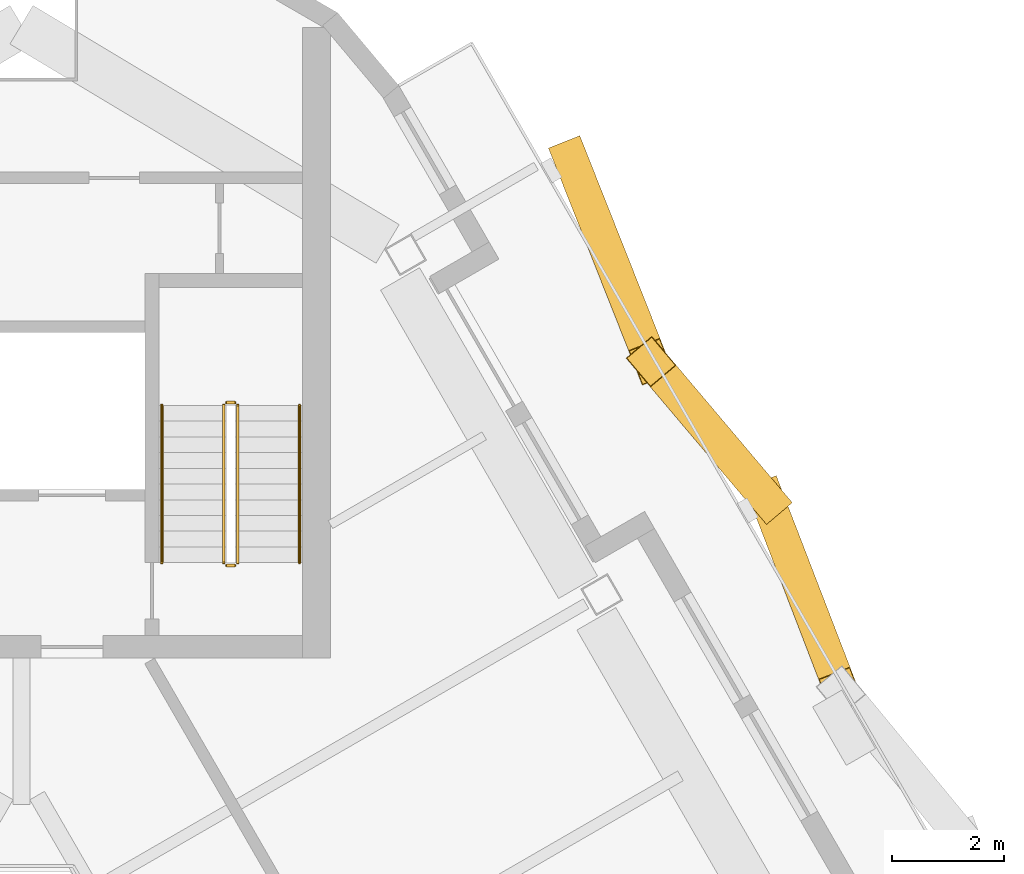
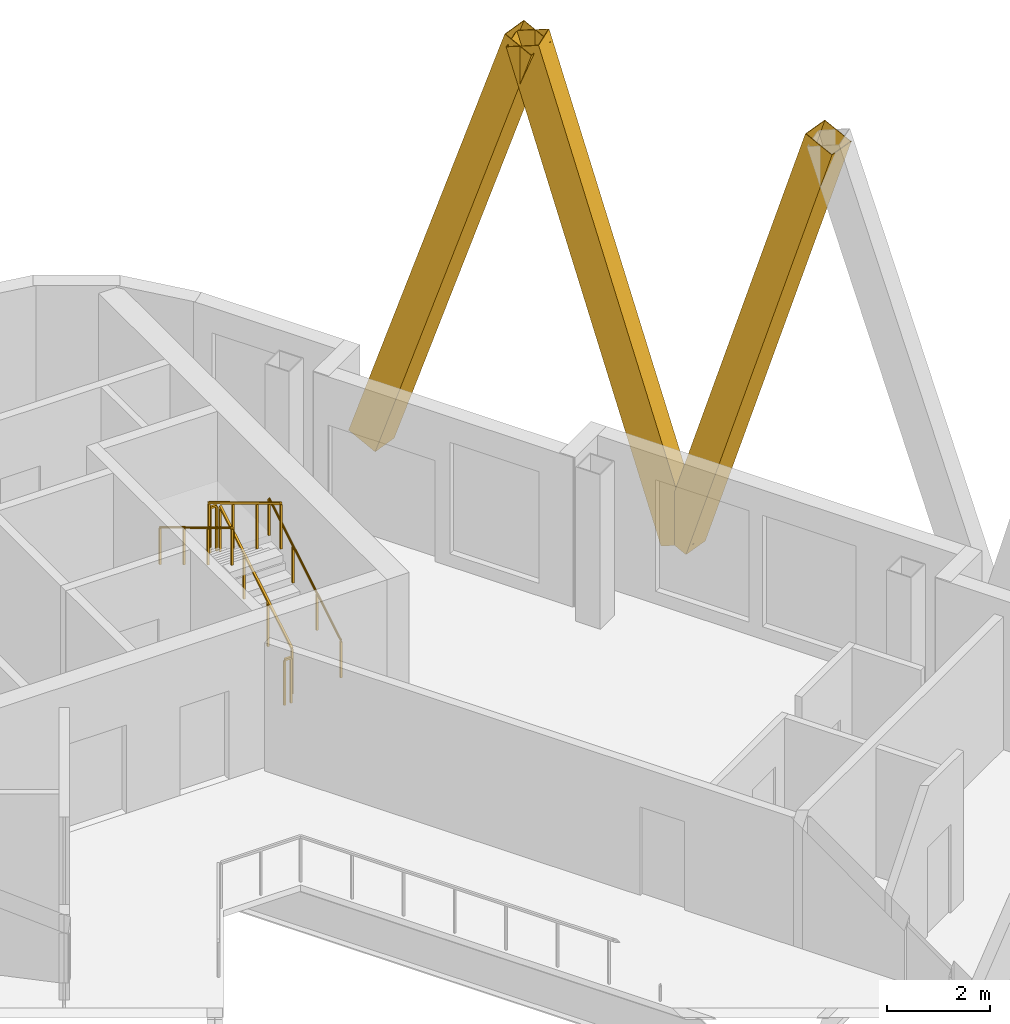
# One storey, part 12 of 12: 6 railings, 3 shading devices.
"""IFC4 building model written with IfcOpenShell, lengths in metres."""

from ifc_helpers import new_model, si_unit, direction, frame, origin, origin_2d, place, context, subcontext, project, spatial, rectangle, hollow_rectangle, circle, extrude, material, material_profile, profile_set, type_object, element, save


model = new_model("IFC4")

# Units and contexts
model_context = context("Model", 3, precision=1e-05, world=origin(), true_north=direction((0.0, 1.0)))
body_context = subcontext(model_context, "Body", "Model", "MODEL_VIEW")
ifc_project = project(units=[si_unit("LENGTHUNIT", "METRE"), si_unit("AREAUNIT", "SQUARE_METRE"), si_unit("VOLUMEUNIT", "CUBIC_METRE"), si_unit("PLANEANGLEUNIT", "RADIAN"), si_unit("MASSUNIT", "GRAM", prefix="KILO")], contexts=[model_context])

# Site, building, storey
site_placement = place(None, origin())
site = spatial("IfcSite", under=ifc_project, at=site_placement, CompositionType="ELEMENT")
building_placement = place(site_placement, origin())
building = spatial("IfcBuilding", under=site, at=building_placement, Name="Apuvela Tower Hotel", CompositionType="ELEMENT")
storey_placement = place(building_placement, frame((0.0, 0.0, 291.10009765625)))
storey = spatial("IfcBuildingStorey", under=building, at=storey_placement, Name="L72", CompositionType="ELEMENT", Elevation=291.10009765625)

# Railings
ifc_material_1 = material(Name="Steel S275 balustrade", Category="steel")
railing_type_1 = type_object("IfcRailingType", Name="COR-GUARD-1100", PredefinedType="GUARDRAIL", material=ifc_material_1)
railing_1_placement = place(storey_placement, frame((3.85009765625, 14.60009765625, 0.16796875)))
element("IfcRailing", 1, at=railing_1_placement, inside=storey, type_object=railing_type_1, Name="L72 ST1 stair guard 1", PredefinedType="GUARDRAIL", context=body_context, shape_type="SweptSolid", body=[
    extrude(rectangle(XDim=0.048095703125, YDim=0.048095703125, at=origin_2d()), frame((0.0, 0.0, 1.076171875), z_axis=(0.0, 0.857222391501, 0.514946377315), x_axis=(-1.0, 0.0, 0.0)), (0.0, 0.0, 1.0), 3.26611328125),
    extrude(rectangle(XDim=0.0419921875, YDim=0.0419921875, at=origin_2d()), origin(), (0.0, 0.0, 1.0), 1.052001953125),
    extrude(rectangle(XDim=0.0419921875, YDim=0.0419921875, at=origin_2d()), frame((0.0, 0.933349609375, 0.560546875)), (0.0, 0.0, 1.0), 1.052001953125),
    extrude(rectangle(XDim=0.0419921875, YDim=0.0419921875, at=origin_2d()), frame((0.0, 1.866455078125, 1.121337890625)), (0.0, 0.0, 1.0), 1.052001953125),
    extrude(rectangle(XDim=0.0419921875, YDim=0.0419921875, at=origin_2d()), frame((0.0, 2.7998046875, 1.681884765625)), (0.0, 0.0, 1.0), 1.052001953125),
])
railing_2_placement = place(storey_placement, frame((3.800048828125, 17.449951171875, 1.849853515625)))
element("IfcRailing", 2, at=railing_2_placement, inside=storey, type_object=railing_type_1, Name="L72 ST1 stair guard 2", PredefinedType="GUARDRAIL", context=body_context, shape_type="SweptSolid", body=[
    extrude(rectangle(XDim=0.048095703125, YDim=0.048095703125, at=origin_2d()), frame((0.0, 0.0, 1.076171875), z_axis=(-1.0, 0.0, 0.0), x_axis=(0.0, -1.0, 0.0)), (0.0, 0.0, 1.0), 0.150146484375),
    extrude(rectangle(XDim=0.0419921875, YDim=0.0419921875, at=origin_2d()), origin(), (0.0, 0.0, 1.0), 1.052001953125),
    extrude(rectangle(XDim=0.0419921875, YDim=0.0419921875, at=origin_2d()), frame((-0.150146484375, 0.0, 0.0)), (0.0, 0.0, 1.0), 1.052001953125),
])
railing_3_placement = place(storey_placement, frame((3.60009765625, 17.39990234375, 2.01806640625)))
element("IfcRailing", 3, at=railing_3_placement, inside=storey, type_object=railing_type_1, Name="L72 ST1 stair guard 3", PredefinedType="GUARDRAIL", context=body_context, shape_type="SweptSolid", body=[
    extrude(rectangle(XDim=0.048095703125, YDim=0.048095703125, at=origin_2d()), frame((0.0, 0.0, 1.076171875), z_axis=(0.0, -0.857222391501, 0.514946377315), x_axis=(1.0, 0.0, 0.0)), (0.0, 0.0, 1.0), 3.26611328125),
    extrude(rectangle(XDim=0.0419921875, YDim=0.0419921875, at=origin_2d()), origin(), (0.0, 0.0, 1.0), 1.052001953125),
    extrude(rectangle(XDim=0.0419921875, YDim=0.0419921875, at=origin_2d()), frame((0.0, -0.933349609375, 0.560546875)), (0.0, 0.0, 1.0), 1.052001953125),
    extrude(rectangle(XDim=0.0419921875, YDim=0.0419921875, at=origin_2d()), frame((0.0, -1.866455078125, 1.121337890625)), (0.0, 0.0, 1.0), 1.052001953125),
    extrude(rectangle(XDim=0.0419921875, YDim=0.0419921875, at=origin_2d()), frame((0.0, -2.7998046875, 1.681884765625)), (0.0, 0.0, 1.0), 1.052001953125),
])
railing_4_placement = place(storey_placement, frame((3.800048828125, 14.550048828125, 0.0)))
element("IfcRailing", 4, at=railing_4_placement, inside=storey, type_object=railing_type_1, Name="L72 ST1 stair guard 4", PredefinedType="GUARDRAIL", context=body_context, shape_type="SweptSolid", body=[
    extrude(rectangle(XDim=0.048095703125, YDim=0.048095703125, at=origin_2d()), frame((0.0, 0.0, 1.076171875), z_axis=(-1.0, 0.0, 0.0), x_axis=(0.0, -1.0, 0.0)), (0.0, 0.0, 1.0), 0.150146484375),
    extrude(rectangle(XDim=0.0419921875, YDim=0.0419921875, at=origin_2d()), origin(), (0.0, 0.0, 1.0), 1.052001953125),
    extrude(rectangle(XDim=0.0419921875, YDim=0.0419921875, at=origin_2d()), frame((-0.150146484375, 0.0, 0.0)), (0.0, 0.0, 1.0), 1.052001953125),
])
ifc_material_2 = material(Name="Stainless steel 316 handrail", Category="steel")
railing_type_2 = type_object("IfcRailingType", Name="COR-HANDRAIL-900", PredefinedType="HANDRAIL", material=ifc_material_2)
railing_5_placement = place(storey_placement, frame((4.949951171875, 14.60009765625, 0.16796875)))
element("IfcRailing", 5, at=railing_5_placement, inside=storey, type_object=railing_type_2, Name="L72 ST1 stair handrail 1", PredefinedType="HANDRAIL", context=body_context, shape_type="SweptSolid", body=[
    extrude(circle(Radius=0.02392578125, at=origin_2d()), frame((0.0, 0.0, 0.8759765625), z_axis=(0.0, 0.857222391501, 0.514946377315), x_axis=(-1.0, 0.0, 0.0)), (0.0, 0.0, 1.0), 3.26611328125),
    extrude(rectangle(XDim=0.0419921875, YDim=0.0419921875, at=origin_2d()), origin(), (0.0, 0.0, 1.0), 0.851806640625),
    extrude(rectangle(XDim=0.0419921875, YDim=0.0419921875, at=origin_2d()), frame((0.0, 0.933349609375, 0.560546875)), (0.0, 0.0, 1.0), 0.851806640625),
    extrude(rectangle(XDim=0.0419921875, YDim=0.0419921875, at=origin_2d()), frame((0.0, 1.866455078125, 1.121337890625)), (0.0, 0.0, 1.0), 0.851806640625),
    extrude(rectangle(XDim=0.0419921875, YDim=0.0419921875, at=origin_2d()), frame((0.0, 2.7998046875, 1.681884765625)), (0.0, 0.0, 1.0), 0.851806640625),
])
railing_6_placement = place(storey_placement, frame((2.5, 17.39990234375, 2.01806640625)))
element("IfcRailing", 6, at=railing_6_placement, inside=storey, type_object=railing_type_2, Name="L72 ST1 stair handrail 2", PredefinedType="HANDRAIL", context=body_context, shape_type="SweptSolid", body=[
    extrude(circle(Radius=0.02392578125, at=origin_2d()), frame((0.0, 0.0, 0.8759765625), z_axis=(0.0, -0.857222391501, 0.514946377315), x_axis=(1.0, 0.0, 0.0)), (0.0, 0.0, 1.0), 3.26611328125),
    extrude(rectangle(XDim=0.0419921875, YDim=0.0419921875, at=origin_2d()), origin(), (0.0, 0.0, 1.0), 0.851806640625),
    extrude(rectangle(XDim=0.0419921875, YDim=0.0419921875, at=origin_2d()), frame((0.0, -0.933349609375, 0.560546875)), (0.0, 0.0, 1.0), 0.851806640625),
    extrude(rectangle(XDim=0.0419921875, YDim=0.0419921875, at=origin_2d()), frame((0.0, -1.866455078125, 1.121337890625)), (0.0, 0.0, 1.0), 0.851806640625),
    extrude(rectangle(XDim=0.0419921875, YDim=0.0419921875, at=origin_2d()), frame((0.0, -2.7998046875, 1.681884765625)), (0.0, 0.0, 1.0), 0.851806640625),
])

# Shading devices
ifc_material_3 = material(Name="Aluminium 6063-T6, black anodised", Category="aluminium")
ifc_material_profile = material_profile(ifc_material_3, hollow_rectangle(XDim=0.60009765625, YDim=0.699951171875, WallThickness=0.011962890625, at=origin_2d()), Name="AL BOX 700x600x12")
ifc_profile_set = profile_set([ifc_material_profile], Name="Aluminium 6063-T6, black anodised")
shading_device_type = type_object("IfcShadingDeviceType", Name="ENV-FIN-700x600", PredefinedType="USERDEFINED", material=ifc_profile_set)
shading_device_1_placement = place(storey_placement, frame((13.274169921875, 15.731689453125, -0.10009765625), z_axis=(0.112340781223, -0.291622210211, 0.949913698915), x_axis=(0.933154214909, 0.359476301301, 0.0)))
element("IfcShadingDevice", 7, at=shading_device_1_placement, inside=storey, type_object=shading_device_type, Name="Lattice fin NE662", ObjectType="FIN", PredefinedType="USERDEFINED", context=body_context, shape_type="SweptSolid", body=[
    extrude(hollow_rectangle(XDim=0.60009765625, YDim=0.699951171875, WallThickness=0.011962890625, at=origin_2d()), origin(), (0.0, 0.0, 1.0), 11.685302734375),
])
shading_device_2_placement = place(storey_placement, frame((13.274169921875, 15.731689453125, -0.10009765625), z_axis=(-0.178889566905, 0.211687748575, 0.960826113278), x_axis=(-0.763796829654, -0.645456739844, 0.0)))
element("IfcShadingDevice", 8, at=shading_device_2_placement, inside=storey, type_object=shading_device_type, Name="Lattice fin NE663", ObjectType="FIN", PredefinedType="USERDEFINED", context=body_context, shape_type="SweptSolid", body=[
    extrude(hollow_rectangle(XDim=0.60009765625, YDim=0.699951171875, WallThickness=0.011962890625, at=origin_2d()), origin(), (0.0, 0.0, 1.0), 11.552734375),
])
shading_device_3_placement = place(storey_placement, frame((9.780517578125, 21.782958984375, -0.10009765625), z_axis=(0.121364736973, -0.30666138586, 0.944049466417), x_axis=(0.929829503012, 0.367990618533, 0.0)))
element("IfcShadingDevice", 9, at=shading_device_3_placement, inside=storey, type_object=shading_device_type, Name="Lattice fin NE664", ObjectType="FIN", PredefinedType="USERDEFINED", context=body_context, shape_type="SweptSolid", body=[
    extrude(hollow_rectangle(XDim=0.60009765625, YDim=0.699951171875, WallThickness=0.011962890625, at=origin_2d()), origin(), (0.0, 0.0, 1.0), 11.758056640625),
])

save(model, "model.ifc")
